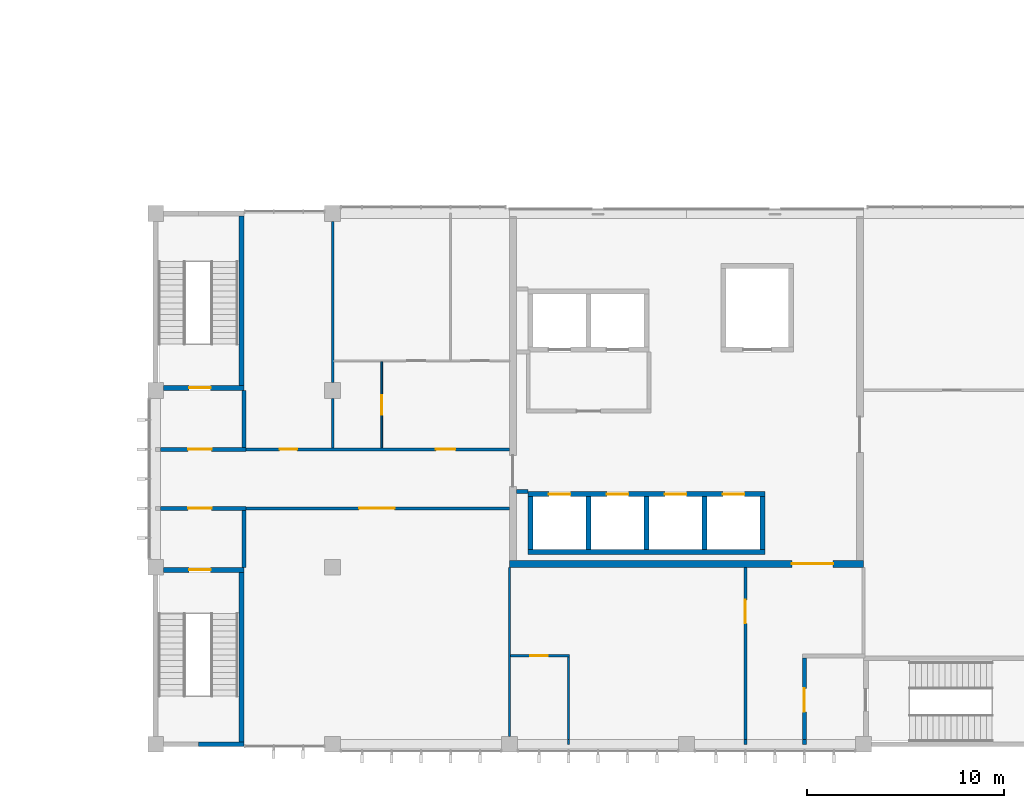
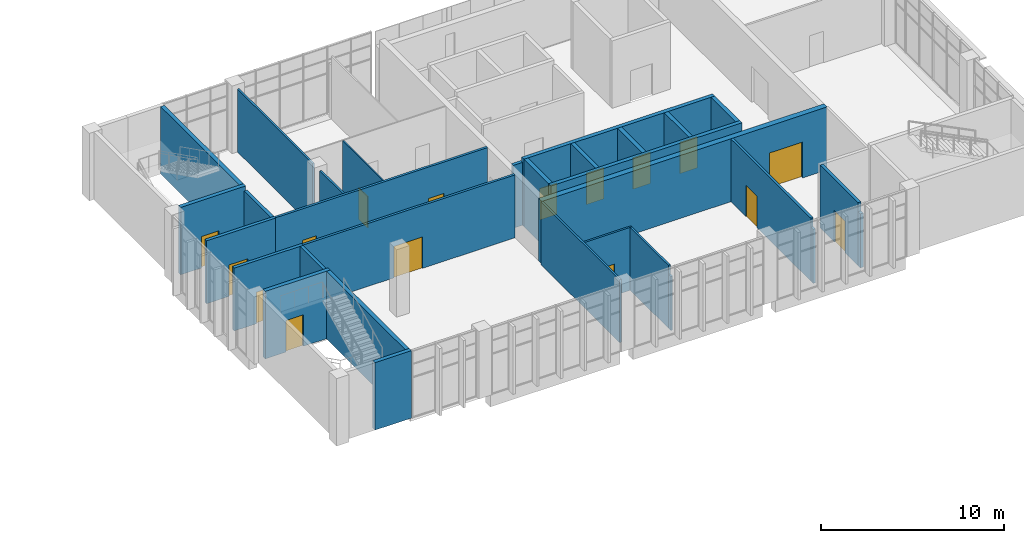
# One storey, part 33 of 43: 31 walls, 16 doors, 16 openings.
"""IFC4 building model written with IfcOpenShell, lengths in metres."""

from ifc_helpers import new_model, si_unit, direction, frame, frame_2d, origin, place, context, subcontext, project, spatial, rectangle, extrude, material, layer, layer_set, type_object, element, fill, save


model = new_model("IFC4")

# Units and contexts
model_context = context("Model", 3, precision=1e-05, world=origin(), true_north=direction((0.0, 1.0)))
body_context = subcontext(model_context, "Body", "Model", "MODEL_VIEW")
ifc_project = project(units=[si_unit("LENGTHUNIT", "METRE"), si_unit("AREAUNIT", "SQUARE_METRE"), si_unit("VOLUMEUNIT", "CUBIC_METRE"), si_unit("PLANEANGLEUNIT", "RADIAN"), si_unit("MASSUNIT", "GRAM", prefix="KILO")], contexts=[model_context])

# Site, building, storey
site_placement = place(None, origin())
site = spatial("IfcSite", under=ifc_project, at=site_placement, CompositionType="ELEMENT")
building_placement = place(site_placement, origin())
building = spatial("IfcBuilding", under=site, at=building_placement, Name="Guidao Yard Department Store", CompositionType="ELEMENT")
storey_placement = place(building_placement, frame((0.0, 0.0, 28.5)))
storey = spatial("IfcBuildingStorey", under=building, at=storey_placement, Name="L06", CompositionType="ELEMENT", Elevation=28.5)

# Wall, opening, door
ifc_material_1 = material(Name="Gypsum Board")
ifc_layer_1 = layer(ifc_material_1, 0.14990234375)
ifc_layer_set_1 = layer_set([ifc_layer_1], Name="Corridor Partition 150 Gypsum Board EI 60")
wall_type_1 = type_object("IfcWallType", Name="Corridor Partition 150 Gypsum Board EI 60", PredefinedType="PARTITIONING", material=ifc_layer_set_1)
wall_1_placement = place(storey_placement, frame((130.39990234375, 12.0, 0.0), z_axis=(0.0, 0.0, 1.0), x_axis=(1.0, 0.0, 0.0)))
wall_1 = element("IfcWall", 1, at=wall_1_placement, inside=storey, type_object=wall_type_1, Name="pt.wall.L06.0005", PredefinedType="PARTITIONING", context=body_context, shape_type="SweptSolid", body=[
    extrude(rectangle(XDim=13.60009765625, YDim=0.14990234375, at=frame_2d((6.800048828125, 0.0))), origin(), (0.0, 0.0, 1.0), 4.199951171875),
])
opening_1_placement = place(wall_1_placement, frame((7.75, 0.0, 0.0), z_axis=(0.0, 0.0, 1.0), x_axis=(-1.0, 0.0, 0.0)))
opening_1 = element("IfcOpeningElement", 2, at=opening_1_placement, cuts=wall_1, Name="Opening L06-412", PredefinedType="OPENING", context=body_context, shape_type="SweptSolid", body=[
    extrude(rectangle(XDim=1.800048828125, YDim=2.10009765625, at=frame_2d((0.89990234375, 1.050048828125))), frame((0.0, 0.0849609375, 0.0), z_axis=(0.0, -1.0, 0.0), x_axis=(1.0, 0.0, 0.0)), (0.0, 0.0, 1.0), 0.169921875),
])
ifc_material_2 = material(Name="Timber door leaf with Steel Q235 frame", Category="steel")
door_type_1 = type_object("IfcDoorType", Name="Door 1800 x 2100 FD30 Double Leaf", OperationType="DOUBLE_DOOR_SINGLE_SWING", PredefinedType="DOOR", material=ifc_material_2)
door_1_placement = place(opening_1_placement, origin())
door_1 = element("IfcDoor", 3, at=door_1_placement, inside=storey, type_object=door_type_1, Name="Door L06-412", OperationType="DOUBLE_DOOR_SINGLE_SWING", OverallHeight=2.10009765625, OverallWidth=1.800048828125, PredefinedType="DOOR", context=body_context, shape_type="SweptSolid", body=[
    extrude(rectangle(XDim=1.800048828125, YDim=2.10009765625, at=frame_2d((0.89990234375, 1.050048828125))), frame((0.0, 0.02490234375, 0.0), z_axis=(0.0, -1.0, 0.0), x_axis=(1.0, 0.0, 0.0)), (0.0, 0.0, 1.0), 0.050048828125),
])
fill(opening_1, door_1)

# Wall, openings, doors
wall_2_placement = place(storey_placement, frame((130.39990234375, 15.0, 0.0), z_axis=(0.0, 0.0, 1.0), x_axis=(1.0, 0.0, 0.0)))
wall_2 = element("IfcWall", 4, at=wall_2_placement, inside=storey, type_object=wall_type_1, Name="pt.wall.L06.0008", PredefinedType="PARTITIONING", context=body_context, shape_type="SweptSolid", body=[
    extrude(rectangle(XDim=13.60009765625, YDim=0.14990234375, at=frame_2d((6.800048828125, 0.0))), origin(), (0.0, 0.0, 1.0), 4.199951171875),
])
opening_2_placement = place(wall_2_placement, frame((9.85009765625, 0.0, 0.0)))
opening_2 = element("IfcOpeningElement", 5, at=opening_2_placement, cuts=wall_2, Name="Opening L06-407", PredefinedType="OPENING", context=body_context, shape_type="SweptSolid", body=[
    extrude(rectangle(XDim=1.0, YDim=2.10009765625, at=frame_2d((0.5, 1.050048828125))), frame((0.0, 0.0849609375, 0.0), z_axis=(0.0, -1.0, 0.0), x_axis=(1.0, 0.0, 0.0)), (0.0, 0.0, 1.0), 0.169921875),
])
opening_3_placement = place(wall_2_placement, frame((1.89990234375, 0.0, 0.0)))
opening_3 = element("IfcOpeningElement", 6, at=opening_3_placement, cuts=wall_2, Name="Opening L06-411", PredefinedType="OPENING", context=body_context, shape_type="SweptSolid", body=[
    extrude(rectangle(XDim=0.89990234375, YDim=2.10009765625, at=frame_2d((0.449951171875, 1.050048828125))), frame((0.0, 0.0849609375, 0.0), z_axis=(0.0, -1.0, 0.0), x_axis=(1.0, 0.0, 0.0)), (0.0, 0.0, 1.0), 0.169921875),
])
ifc_material_3 = material(Name="Timber door leaf with Steel Q235 frame", Category="steel")
door_type_2 = type_object("IfcDoorType", Name="Door 1000 x 2100 FD30 Single Leaf", OperationType="SINGLE_SWING_LEFT", PredefinedType="DOOR", material=ifc_material_3)
door_2_placement = place(opening_2_placement, origin())
door_2 = element("IfcDoor", 7, at=door_2_placement, inside=storey, type_object=door_type_2, Name="Door L06-407", OperationType="SINGLE_SWING_RIGHT", OverallHeight=2.10009765625, OverallWidth=1.0, PredefinedType="DOOR", context=body_context, shape_type="SweptSolid", body=[
    extrude(rectangle(XDim=1.0, YDim=2.10009765625, at=frame_2d((0.5, 1.050048828125))), frame((0.0, 0.02490234375, 0.0), z_axis=(0.0, -1.0, 0.0), x_axis=(1.0, 0.0, 0.0)), (0.0, 0.0, 1.0), 0.050048828125),
])
fill(opening_2, door_2)
ifc_material_4 = material(Name="Timber door leaf with Steel Q235 frame", Category="steel")
door_type_3 = type_object("IfcDoorType", Name="Door 900 x 2100 FD30 Single Leaf", OperationType="SINGLE_SWING_LEFT", PredefinedType="DOOR", material=ifc_material_4)
door_3_placement = place(opening_3_placement, origin())
door_3 = element("IfcDoor", 8, at=door_3_placement, inside=storey, type_object=door_type_3, Name="Door L06-411", OperationType="SINGLE_SWING_LEFT", OverallHeight=2.10009765625, OverallWidth=0.89990234375, PredefinedType="DOOR", context=body_context, shape_type="SweptSolid", body=[
    extrude(rectangle(XDim=0.89990234375, YDim=2.10009765625, at=frame_2d((0.449951171875, 1.050048828125))), frame((0.0, 0.02490234375, 0.0), z_axis=(0.0, -1.0, 0.0), x_axis=(1.0, 0.0, 0.0)), (0.0, 0.0, 1.0), 0.050048828125),
])
fill(opening_3, door_3)

# Wall
wall_3_placement = place(storey_placement, frame((156.0, 0.0, 0.0), z_axis=(0.0, 0.0, 1.0), x_axis=(0.0, 1.0, 0.0)))
element("IfcWall", 9, at=wall_3_placement, inside=storey, type_object=wall_type_1, Name="pt.wall.L06.0025", PredefinedType="PARTITIONING", context=body_context, shape_type="SweptSolid", body=[
    extrude(rectangle(XDim=0.25, YDim=0.14990234375, at=frame_2d((0.125, 0.0))), origin(), (0.0, 0.0, 1.0), 3.60009765625),
])

# Wall, opening, door
wall_4_placement = place(storey_placement, frame((156.0, 0.25, 0.0), z_axis=(0.0, 0.0, 1.0), x_axis=(0.0, 1.0, 0.0)))
wall_4 = element("IfcWall", 10, at=wall_4_placement, inside=storey, type_object=wall_type_1, Name="pt.wall.L06.0025a", PredefinedType="PARTITIONING", context=body_context, shape_type="SweptSolid", body=[
    extrude(rectangle(XDim=8.75, YDim=0.14990234375, at=frame_2d((4.375, 0.0))), origin(), (0.0, 0.0, 1.0), 4.199951171875),
])
opening_4_placement = place(wall_4_placement, frame((5.89990234375, 0.0, 0.0)))
opening_4 = element("IfcOpeningElement", 11, at=opening_4_placement, cuts=wall_4, Name="Opening L06-413", PredefinedType="OPENING", context=body_context, shape_type="SweptSolid", body=[
    extrude(rectangle(XDim=1.199951171875, YDim=2.10009765625, at=frame_2d((0.60009765625, 1.050048828125))), frame((0.0, 0.0849609375, 0.0), z_axis=(0.0, -1.0, 0.0), x_axis=(1.0, 0.0, 0.0)), (0.0, 0.0, 1.0), 0.169921875),
])
ifc_material_5 = material(Name="Timber door leaf with Steel Q235 frame", Category="steel")
door_type_4 = type_object("IfcDoorType", Name="Door 1200 x 2100 FD30 Single Leaf", OperationType="SINGLE_SWING_LEFT", PredefinedType="DOOR", material=ifc_material_5)
door_4_placement = place(opening_4_placement, origin())
door_4 = element("IfcDoor", 12, at=door_4_placement, inside=storey, type_object=door_type_4, Name="Door L06-413", OperationType="SINGLE_SWING_RIGHT", OverallHeight=2.10009765625, OverallWidth=1.199951171875, PredefinedType="DOOR", context=body_context, shape_type="SweptSolid", body=[
    extrude(rectangle(XDim=1.199951171875, YDim=2.10009765625, at=frame_2d((0.60009765625, 1.050048828125))), frame((0.0, 0.02490234375, 0.0), z_axis=(0.0, -1.0, 0.0), x_axis=(1.0, 0.0, 0.0)), (0.0, 0.0, 1.0), 0.050048828125),
])
fill(opening_4, door_4)

ifc_material_6 = material(Name="Gypsum Board")
ifc_layer_2 = layer(ifc_material_6, 0.1201171875)
ifc_layer_set_2 = layer_set([ifc_layer_2], Name="Partition 120 Gypsum Board EI 45")
wall_type_2 = type_object("IfcWallType", Name="Partition 120 Gypsum Board EI 45", PredefinedType="PARTITIONING", material=ifc_layer_set_2)
wall_5_placement = place(storey_placement, frame((144.06005859375, 4.5, 0.0), z_axis=(0.0, 0.0, 1.0), x_axis=(1.0, 0.0, 0.0)))
wall_5 = element("IfcWall", 13, at=wall_5_placement, inside=storey, type_object=wall_type_2, Name="pt.wall.L06.0001", PredefinedType="PARTITIONING", context=body_context, shape_type="SweptSolid", body=[
    extrude(rectangle(XDim=3.0, YDim=0.1201171875, at=frame_2d((1.5, 0.0))), origin(), (0.0, 0.0, 1.0), 4.199951171875),
])
opening_5_placement = place(wall_5_placement, frame((1.889892578125, 0.0, 0.0), z_axis=(0.0, 0.0, 1.0), x_axis=(-1.0, 0.0, 0.0)))
opening_5 = element("IfcOpeningElement", 14, at=opening_5_placement, cuts=wall_5, Name="Opening L06-414", PredefinedType="OPENING", context=body_context, shape_type="SweptSolid", body=[
    extrude(rectangle(XDim=0.89990234375, YDim=2.10009765625, at=frame_2d((0.449951171875, 1.050048828125))), frame((0.0, 0.070068359375, 0.0), z_axis=(0.0, -1.0, 0.0), x_axis=(1.0, 0.0, 0.0)), (0.0, 0.0, 1.0), 0.14013671875),
])
ifc_material_7 = material(Name="Timber door leaf with Steel Q235 frame", Category="steel")
door_type_5 = type_object("IfcDoorType", Name="Door 900 x 2100 NOT RATED Single Leaf", OperationType="SINGLE_SWING_LEFT", PredefinedType="DOOR", material=ifc_material_7)
door_5_placement = place(opening_5_placement, origin())
door_5 = element("IfcDoor", 15, at=door_5_placement, inside=storey, type_object=door_type_5, Name="Door L06-414", OperationType="SINGLE_SWING_RIGHT", OverallHeight=2.10009765625, OverallWidth=0.89990234375, PredefinedType="DOOR", context=body_context, shape_type="SweptSolid", body=[
    extrude(rectangle(XDim=0.89990234375, YDim=2.10009765625, at=frame_2d((0.449951171875, 1.050048828125))), frame((0.0, 0.02490234375, 0.0), z_axis=(0.0, -1.0, 0.0), x_axis=(1.0, 0.0, 0.0)), (0.0, 0.0, 1.0), 0.050048828125),
])
fill(opening_5, door_5)

# Walls
wall_6_placement = place(storey_placement, frame((135.0, 15.074951171875, 0.0), z_axis=(0.0, 0.0, 1.0), x_axis=(0.0, 1.0, 0.0)))
element("IfcWall", 16, at=wall_6_placement, inside=storey, type_object=wall_type_2, Name="pt.wall.L06.0016", PredefinedType="PARTITIONING", context=body_context, shape_type="SweptSolid", body=[
    extrude(rectangle(XDim=2.525146484375, YDim=0.1201171875, at=frame_2d((1.2626953125, 0.0))), origin(), (0.0, 0.0, 1.0), 4.199951171875),
])
wall_7_placement = place(storey_placement, frame((135.0, 18.39990234375, 0.0), z_axis=(0.0, 0.0, 1.0), x_axis=(0.0, 1.0, 0.0)))
element("IfcWall", 17, at=wall_7_placement, inside=storey, type_object=wall_type_2, Name="pt.wall.L06.0017", PredefinedType="PARTITIONING", context=body_context, shape_type="SweptSolid", body=[
    extrude(rectangle(XDim=8.2001953125, YDim=0.1201171875, at=frame_2d((4.10009765625, 0.0))), origin(), (0.0, 0.0, 1.0), 4.199951171875),
])
wall_8_placement = place(storey_placement, frame((144.0, 0.39990234375, 0.0), z_axis=(0.0, 0.0, 1.0), x_axis=(0.0, 1.0, 0.0)))
element("IfcWall", 18, at=wall_8_placement, inside=storey, type_object=wall_type_2, Name="pt.wall.L06.0020", PredefinedType="PARTITIONING", context=body_context, shape_type="SweptSolid", body=[
    extrude(rectangle(XDim=8.60009765625, YDim=0.1201171875, at=frame_2d((4.300048828125, 0.0))), origin(), (0.0, 0.0, 1.0), 4.199951171875),
])
wall_9_placement = place(storey_placement, frame((147.0, 0.0, 0.0), z_axis=(0.0, 0.0, 1.0), x_axis=(0.0, 1.0, 0.0)))
element("IfcWall", 19, at=wall_9_placement, inside=storey, type_object=wall_type_2, Name="pt.wall.L06.0023", PredefinedType="PARTITIONING", context=body_context, shape_type="SweptSolid", body=[
    extrude(rectangle(XDim=0.25, YDim=0.1201171875, at=frame_2d((0.125, 0.0))), origin(), (0.0, 0.0, 1.0), 3.60009765625),
])
wall_10_placement = place(storey_placement, frame((147.0, 0.25, 0.0), z_axis=(0.0, 0.0, 1.0), x_axis=(0.0, 1.0, 0.0)))
element("IfcWall", 20, at=wall_10_placement, inside=storey, type_object=wall_type_2, Name="pt.wall.L06.0023a", PredefinedType="PARTITIONING", context=body_context, shape_type="SweptSolid", body=[
    extrude(rectangle(XDim=4.18994140625, YDim=0.1201171875, at=frame_2d((2.094970703125, 0.0))), origin(), (0.0, 0.0, 1.0), 4.199951171875),
])

# Wall, opening, door
ifc_material_8 = material(Name="Gypsum Board")
ifc_layer_3 = layer(ifc_material_8, 0.080078125)
ifc_layer_set_3 = layer_set([ifc_layer_3], Name="Sanitary Partition 80 Gypsum Board EI 45")
wall_type_3 = type_object("IfcWallType", Name="Sanitary Partition 80 Gypsum Board EI 45", PredefinedType="PARTITIONING", material=ifc_layer_set_3)
wall_11_placement = place(storey_placement, frame((137.5, 15.074951171875, 0.0), z_axis=(0.0, 0.0, 1.0), x_axis=(0.0, 1.0, 0.0)))
wall_11 = element("IfcWall", 21, at=wall_11_placement, inside=storey, type_object=wall_type_3, Name="pt.wall.L06.0018", PredefinedType="PARTITIONING", context=body_context, shape_type="SweptSolid", body=[
    extrude(rectangle(XDim=4.385009765625, YDim=0.080078125, at=frame_2d((2.1923828125, 0.0))), origin(), (0.0, 0.0, 1.0), 4.199951171875),
])
opening_6_placement = place(wall_11_placement, frame((1.675048828125, 0.0, 0.0)))
opening_6 = element("IfcOpeningElement", 22, at=opening_6_placement, cuts=wall_11, Name="Opening L06-408", PredefinedType="OPENING", context=body_context, shape_type="SweptSolid", body=[
    extrude(rectangle(XDim=1.0, YDim=2.10009765625, at=frame_2d((0.5, 1.050048828125))), frame((0.0, 0.050048828125, 0.0), z_axis=(0.0, -1.0, 0.0), x_axis=(1.0, 0.0, 0.0)), (0.0, 0.0, 1.0), 0.10009765625),
])
ifc_material_9 = material(Name="Timber door leaf with Steel Q235 frame", Category="steel")
door_type_6 = type_object("IfcDoorType", Name="Door 1000 x 2100 NOT RATED Single Leaf", OperationType="SINGLE_SWING_LEFT", PredefinedType="DOOR", material=ifc_material_9)
door_6_placement = place(opening_6_placement, origin())
door_6 = element("IfcDoor", 23, at=door_6_placement, inside=storey, type_object=door_type_6, Name="Door L06-408", OperationType="SINGLE_SWING_RIGHT", OverallHeight=2.10009765625, OverallWidth=1.0, PredefinedType="DOOR", context=body_context, shape_type="SweptSolid", body=[
    extrude(rectangle(XDim=1.0, YDim=2.10009765625, at=frame_2d((0.5, 1.050048828125))), frame((0.0, 0.02490234375, 0.0), z_axis=(0.0, -1.0, 0.0), x_axis=(1.0, 0.0, 0.0)), (0.0, 0.0, 1.0), 0.050048828125),
])
fill(opening_6, door_6)

ifc_material_10 = material(Name="Autoclaved aerated concrete block A3.5 B06", Category="concrete")
ifc_layer_4 = layer(ifc_material_10, 0.199951171875)
ifc_layer_set_4 = layer_set([ifc_layer_4], Name="Shaft Wall 200 Autoclaved Block EI 120")
wall_type_4 = type_object("IfcWallType", Name="Shaft Wall 200 Autoclaved Block EI 120", PredefinedType="PARTITIONING", material=ifc_layer_set_4)
wall_12_placement = place(storey_placement, frame((126.25, 12.0, 0.0), z_axis=(0.0, 0.0, 1.0), x_axis=(1.0, 0.0, 0.0)))
wall_12 = element("IfcWall", 24, at=wall_12_placement, inside=storey, type_object=wall_type_4, Name="pt.wall.L06.0004a", PredefinedType="PARTITIONING", context=body_context, shape_type="SweptSolid", body=[
    extrude(rectangle(XDim=4.35009765625, YDim=0.199951171875, at=frame_2d((2.175048828125, 0.0))), origin(), (0.0, 0.0, 1.0), 4.199951171875),
])
opening_7_placement = place(wall_12_placement, frame((2.599853515625, 0.0, 0.0), z_axis=(0.0, 0.0, 1.0), x_axis=(-1.0, 0.0, 0.0)))
opening_7 = element("IfcOpeningElement", 25, at=opening_7_placement, cuts=wall_12, Name="Opening L06-401", PredefinedType="OPENING", context=body_context, shape_type="SweptSolid", body=[
    extrude(rectangle(XDim=1.199951171875, YDim=2.10009765625, at=frame_2d((0.60009765625, 1.050048828125))), frame((0.0, 0.10986328125, 0.0), z_axis=(0.0, -1.0, 0.0), x_axis=(1.0, 0.0, 0.0)), (0.0, 0.0, 1.0), 0.219970703125),
])
ifc_material_11 = material(Name="Timber door leaf with Steel Q235 frame", Category="steel")
door_type_7 = type_object("IfcDoorType", Name="Door 1200 x 2100 FD60 Single Leaf", OperationType="SINGLE_SWING_LEFT", PredefinedType="DOOR", material=ifc_material_11)
door_7_placement = place(opening_7_placement, origin())
door_7 = element("IfcDoor", 26, at=door_7_placement, inside=storey, type_object=door_type_7, Name="Door L06-401", OperationType="SINGLE_SWING_RIGHT", OverallHeight=2.10009765625, OverallWidth=1.199951171875, PredefinedType="DOOR", context=body_context, shape_type="SweptSolid", body=[
    extrude(rectangle(XDim=1.199951171875, YDim=2.10009765625, at=frame_2d((0.60009765625, 1.050048828125))), frame((0.0, 0.02490234375, 0.0), z_axis=(0.0, -1.0, 0.0), x_axis=(1.0, 0.0, 0.0)), (0.0, 0.0, 1.0), 0.050048828125),
])
fill(opening_7, door_7)

# Wall
wall_13_placement = place(storey_placement, frame((144.35009765625, 12.85009765625, 0.0), z_axis=(0.0, 0.0, 1.0), x_axis=(1.0, 0.0, 0.0)))
element("IfcWall", 27, at=wall_13_placement, inside=storey, type_object=wall_type_4, Name="pt.wall.L06.0006", PredefinedType="PARTITIONING", context=body_context, shape_type="SweptSolid", body=[
    extrude(rectangle(XDim=0.599853515625, YDim=0.199951171875, at=frame_2d((0.2998046875, 0.0))), origin(), (0.0, 0.0, 1.0), 4.199951171875),
])

# Wall, opening, door
wall_14_placement = place(storey_placement, frame((126.25, 15.0, 0.0), z_axis=(0.0, 0.0, 1.0), x_axis=(1.0, 0.0, 0.0)))
wall_14 = element("IfcWall", 28, at=wall_14_placement, inside=storey, type_object=wall_type_4, Name="pt.wall.L06.0007a", PredefinedType="PARTITIONING", context=body_context, shape_type="SweptSolid", body=[
    extrude(rectangle(XDim=4.35009765625, YDim=0.199951171875, at=frame_2d((2.175048828125, 0.0))), origin(), (0.0, 0.0, 1.0), 4.199951171875),
])
opening_8_placement = place(wall_14_placement, frame((1.39990234375, 0.0, 0.0)))
opening_8 = element("IfcOpeningElement", 29, at=opening_8_placement, cuts=wall_14, Name="Opening L06-403", PredefinedType="OPENING", context=body_context, shape_type="SweptSolid", body=[
    extrude(rectangle(XDim=1.199951171875, YDim=2.10009765625, at=frame_2d((0.60009765625, 1.050048828125))), frame((0.0, 0.10986328125, 0.0), z_axis=(0.0, -1.0, 0.0), x_axis=(1.0, 0.0, 0.0)), (0.0, 0.0, 1.0), 0.219970703125),
])
door_8_placement = place(opening_8_placement, origin())
door_8 = element("IfcDoor", 30, at=door_8_placement, inside=storey, type_object=door_type_7, Name="Door L06-403", OperationType="SINGLE_SWING_LEFT", OverallHeight=2.10009765625, OverallWidth=1.199951171875, PredefinedType="DOOR", context=body_context, shape_type="SweptSolid", body=[
    extrude(rectangle(XDim=1.199951171875, YDim=2.10009765625, at=frame_2d((0.60009765625, 1.050048828125))), frame((0.0, 0.02490234375, 0.0), z_axis=(0.0, -1.0, 0.0), x_axis=(1.0, 0.0, 0.0)), (0.0, 0.0, 1.0), 0.050048828125),
])
fill(opening_8, door_8)

# Walls
for number, where, z_axis, x_axis, name in (
    (31, (130.5, 9.0, 0.0), (0.0, 0.0, 1.0), (0.0, 1.0, 0.0), "pt.wall.L06.0014"),
    (32, (130.5, 15.10009765625, 0.0), (0.0, 0.0, 1.0), (0.0, 1.0, 0.0), "pt.wall.L06.0015"),
):
    element("IfcWall", number, at=place(storey_placement, frame(where, z_axis=z_axis, x_axis=x_axis)), inside=storey, type_object=wall_type_4, Name=name, PredefinedType="PARTITIONING", context=body_context, shape_type="SweptSolid", body=[
        extrude(rectangle(XDim=2.89990234375, YDim=0.199951171875, at=frame_2d((1.449951171875, 0.0))), origin(), (0.0, 0.0, 1.0), 4.199951171875),
    ])
wall_15_placement = place(storey_placement, frame((159.0, 0.0, 0.0), z_axis=(0.0, 0.0, 1.0), x_axis=(0.0, 1.0, 0.0)))
element("IfcWall", 33, at=wall_15_placement, inside=storey, type_object=wall_type_4, Name="pt.wall.L06.0026", PredefinedType="PARTITIONING", context=body_context, shape_type="SweptSolid", body=[
    extrude(rectangle(XDim=0.25, YDim=0.199951171875, at=frame_2d((0.125, 0.0))), origin(), (0.0, 0.0, 1.0), 3.60009765625),
])

# Wall, opening, door
wall_16_placement = place(storey_placement, frame((159.0, 0.25, 0.0), z_axis=(0.0, 0.0, 1.0), x_axis=(0.0, 1.0, 0.0)))
wall_16 = element("IfcWall", 34, at=wall_16_placement, inside=storey, type_object=wall_type_4, Name="pt.wall.L06.0026a", PredefinedType="PARTITIONING", context=body_context, shape_type="SweptSolid", body=[
    extrude(rectangle(XDim=4.14990234375, YDim=0.199951171875, at=frame_2d((2.074951171875, 0.0))), origin(), (0.0, 0.0, 1.0), 4.199951171875),
])
opening_9_placement = place(wall_16_placement, frame((2.599853515625, 0.0, 0.0), z_axis=(0.0, 0.0, 1.0), x_axis=(-1.0, 0.0, 0.0)))
opening_9 = element("IfcOpeningElement", 35, at=opening_9_placement, cuts=wall_16, Name="Opening L06-402", PredefinedType="OPENING", context=body_context, shape_type="SweptSolid", body=[
    extrude(rectangle(XDim=1.199951171875, YDim=2.10009765625, at=frame_2d((0.60009765625, 1.050048828125))), frame((0.0, 0.10986328125, 0.0), z_axis=(0.0, -1.0, 0.0), x_axis=(1.0, 0.0, 0.0)), (0.0, 0.0, 1.0), 0.219970703125),
])
door_9_placement = place(opening_9_placement, origin())
door_9 = element("IfcDoor", 36, at=door_9_placement, inside=storey, type_object=door_type_7, Name="Door L06-402", OperationType="SINGLE_SWING_RIGHT", OverallHeight=2.10009765625, OverallWidth=1.199951171875, PredefinedType="DOOR", context=body_context, shape_type="SweptSolid", body=[
    extrude(rectangle(XDim=1.199951171875, YDim=2.10009765625, at=frame_2d((0.60009765625, 1.050048828125))), frame((0.0, 0.02490234375, 0.0), z_axis=(0.0, -1.0, 0.0), x_axis=(1.0, 0.0, 0.0)), (0.0, 0.0, 1.0), 0.050048828125),
])
fill(opening_9, door_9)

ifc_material_12 = material(Name="Concrete C50", Category="concrete")
ifc_layer_5 = layer(ifc_material_12, 0.35009765625)
ifc_layer_set_5 = layer_set([ifc_layer_5], Name="Shear Wall 350 Concrete C50")
wall_type_5 = type_object("IfcWallType", Name="Shear Wall 350 Concrete C50", PredefinedType="SHEAR", material=ifc_layer_set_5)
wall_17_placement = place(storey_placement, frame((144.0, 9.175048828125, 0.0), z_axis=(0.0, 0.0, 1.0), x_axis=(1.0, 0.0, 0.0)))
wall_17 = element("IfcWall", 37, at=wall_17_placement, inside=storey, type_object=wall_type_5, Name="pt.wall.L06.0003", PredefinedType="SHEAR", context=body_context, shape_type="SweptSolid", body=[
    extrude(rectangle(XDim=18.0, YDim=0.35009765625, at=frame_2d((9.0, 0.0))), origin(), (0.0, 0.0, 1.0), 4.199951171875),
])
opening_10_placement = place(wall_17_placement, frame((16.462646484375, 0.0, 0.0), z_axis=(0.0, 0.0, 1.0), x_axis=(-1.0, 0.0, 0.0)))
opening_10 = element("IfcOpeningElement", 38, at=opening_10_placement, cuts=wall_17, Name="Opening L06-406", PredefinedType="OPENING", context=body_context, shape_type="SweptSolid", body=[
    extrude(rectangle(XDim=2.10009765625, YDim=2.39990234375, at=frame_2d((1.050048828125, 1.199951171875))), frame((0.0, 0.18505859375, 0.0), z_axis=(0.0, -1.0, 0.0), x_axis=(1.0, 0.0, 0.0)), (0.0, 0.0, 1.0), 0.3701171875),
])
ifc_material_13 = material(Name="Timber door leaf with Steel Q235 frame", Category="steel")
door_type_8 = type_object("IfcDoorType", Name="Door 2100 x 2400 FD60 Double Leaf", OperationType="DOUBLE_DOOR_SINGLE_SWING", PredefinedType="DOOR", material=ifc_material_13)
door_10_placement = place(opening_10_placement, origin())
door_10 = element("IfcDoor", 39, at=door_10_placement, inside=storey, type_object=door_type_8, Name="Door L06-406", OperationType="DOUBLE_DOOR_SINGLE_SWING", OverallHeight=2.39990234375, OverallWidth=2.10009765625, PredefinedType="DOOR", context=body_context, shape_type="SweptSolid", body=[
    extrude(rectangle(XDim=2.10009765625, YDim=2.39990234375, at=frame_2d((1.050048828125, 1.199951171875))), frame((0.0, 0.02490234375, 0.0), z_axis=(0.0, -1.0, 0.0), x_axis=(1.0, 0.0, 0.0)), (0.0, 0.0, 1.0), 0.050048828125),
])
fill(opening_10, door_10)

# Wall
ifc_material_14 = material(Name="Concrete C40", Category="concrete")
ifc_layer_6 = layer(ifc_material_14, 0.25)
ifc_layer_set_6 = layer_set([ifc_layer_6], Name="Wall RC 250 C40 stair and shaft")
wall_type_6 = type_object("IfcWallType", Name="Wall RC 250 C40 stair and shaft", PredefinedType="SHEAR", material=ifc_layer_set_6)
wall_18_placement = place(storey_placement, frame((128.18798828125, 0.0, 0.0), z_axis=(0.0, 0.0, 1.0), x_axis=(1.0, 0.0, 0.0)))
element("IfcWall", 40, at=wall_18_placement, inside=storey, type_object=wall_type_6, Name="Stair wall SO1", PredefinedType="SHEAR", context=body_context, shape_type="SweptSolid", body=[
    extrude(rectangle(XDim=2.31201171875, YDim=0.25, at=frame_2d((1.156005859375, 0.0))), origin(), (0.0, 0.0, 1.0), 4.5),
])

# Wall, opening, door
wall_19_placement = place(storey_placement, frame((126.39990234375, 8.875, 0.0), z_axis=(0.0, 0.0, 1.0), x_axis=(1.0, 0.0, 0.0)))
wall_19 = element("IfcWall", 41, at=wall_19_placement, inside=storey, type_object=wall_type_6, Name="Stair wall SO1", PredefinedType="SHEAR", context=body_context, shape_type="SweptSolid", body=[
    extrude(rectangle(XDim=4.10009765625, YDim=0.25, at=frame_2d((2.050048828125, 0.0))), origin(), (0.0, 0.0, 1.0), 4.5),
])
opening_11_placement = place(wall_19_placement, frame((2.400146484375, 0.0, 0.0), z_axis=(0.0, 0.0, 1.0), x_axis=(-1.0, 0.0, 0.0)))
opening_11 = element("IfcOpeningElement", 42, at=opening_11_placement, cuts=wall_19, Name="Opening L06-802", PredefinedType="OPENING", context=body_context, shape_type="SweptSolid", body=[
    extrude(rectangle(XDim=1.10009765625, YDim=2.10009765625, at=frame_2d((0.550048828125, 1.050048828125))), frame((0.0, 0.135009765625, 0.0), z_axis=(0.0, -1.0, 0.0), x_axis=(1.0, 0.0, 0.0)), (0.0, 0.0, 1.0), 0.27001953125),
])
ifc_material_15 = material(Name="Steel Q235", Category="steel")
door_type_9 = type_object("IfcDoorType", Name="Door fire-resisting 1100 x 2100 FD60", OperationType="SINGLE_SWING_LEFT", PredefinedType="DOOR", material=ifc_material_15)
door_11_placement = place(opening_11_placement, origin())
door_11 = element("IfcDoor", 43, at=door_11_placement, inside=storey, type_object=door_type_9, Name="Stair O1 door L06", OperationType="SINGLE_SWING_RIGHT", OverallHeight=2.10009765625, OverallWidth=1.10009765625, PredefinedType="DOOR", context=body_context, shape_type="SweptSolid", body=[
    extrude(rectangle(XDim=1.10009765625, YDim=2.10009765625, at=frame_2d((0.550048828125, 1.050048828125))), frame((0.0, 0.02490234375, 0.0), z_axis=(0.0, -1.0, 0.0), x_axis=(1.0, 0.0, 0.0)), (0.0, 0.0, 1.0), 0.050048828125),
])
fill(opening_11, door_11)

# Wall
wall_20_placement = place(storey_placement, frame((130.375, 0.125, 0.0), z_axis=(0.0, 0.0, 1.0), x_axis=(0.0, 1.0, 0.0)))
element("IfcWall", 44, at=wall_20_placement, inside=storey, type_object=wall_type_6, Name="Stair wall SO1", PredefinedType="SHEAR", context=body_context, shape_type="SweptSolid", body=[
    extrude(rectangle(XDim=8.625, YDim=0.25, at=frame_2d((4.3125, 0.0))), origin(), (0.0, 0.0, 1.0), 4.5),
])

# Wall, opening, door
wall_21_placement = place(storey_placement, frame((126.39990234375, 18.125, 0.0), z_axis=(0.0, 0.0, 1.0), x_axis=(1.0, 0.0, 0.0)))
wall_21 = element("IfcWall", 45, at=wall_21_placement, inside=storey, type_object=wall_type_6, Name="Stair wall SO3", PredefinedType="SHEAR", context=body_context, shape_type="SweptSolid", body=[
    extrude(rectangle(XDim=4.10009765625, YDim=0.25, at=frame_2d((2.050048828125, 0.0))), origin(), (0.0, 0.0, 1.0), 4.5),
])
opening_12_placement = place(wall_21_placement, frame((1.300048828125, 0.0, 0.0)))
opening_12 = element("IfcOpeningElement", 46, at=opening_12_placement, cuts=wall_21, Name="Opening L06-804", PredefinedType="OPENING", context=body_context, shape_type="SweptSolid", body=[
    extrude(rectangle(XDim=1.10009765625, YDim=2.10009765625, at=frame_2d((0.550048828125, 1.050048828125))), frame((0.0, 0.135009765625, 0.0), z_axis=(0.0, -1.0, 0.0), x_axis=(1.0, 0.0, 0.0)), (0.0, 0.0, 1.0), 0.27001953125),
])
door_12_placement = place(opening_12_placement, origin())
door_12 = element("IfcDoor", 47, at=door_12_placement, inside=storey, type_object=door_type_9, Name="Stair O3 door L06", OperationType="SINGLE_SWING_LEFT", OverallHeight=2.10009765625, OverallWidth=1.10009765625, PredefinedType="DOOR", context=body_context, shape_type="SweptSolid", body=[
    extrude(rectangle(XDim=1.10009765625, YDim=2.10009765625, at=frame_2d((0.550048828125, 1.050048828125))), frame((0.0, 0.02490234375, 0.0), z_axis=(0.0, -1.0, 0.0), x_axis=(1.0, 0.0, 0.0)), (0.0, 0.0, 1.0), 0.050048828125),
])
fill(opening_12, door_12)

# Wall
wall_22_placement = place(storey_placement, frame((130.375, 18.25, 0.0), z_axis=(0.0, 0.0, 1.0), x_axis=(0.0, 1.0, 0.0)))
element("IfcWall", 48, at=wall_22_placement, inside=storey, type_object=wall_type_6, Name="Stair wall SO3", PredefinedType="SHEAR", context=body_context, shape_type="SweptSolid", body=[
    extrude(rectangle(XDim=8.625, YDim=0.25, at=frame_2d((4.3125, 0.0))), origin(), (0.0, 0.0, 1.0), 4.5),
])

# Wall, openings, doors
wall_23_placement = place(storey_placement, frame((144.949951171875, 12.72509765625, 0.0), z_axis=(0.0, 0.0, 1.0), x_axis=(1.0, 0.0, 0.0)))
wall_23 = element("IfcWall", 49, at=wall_23_placement, inside=storey, type_object=wall_type_6, Name="Lift shaft wall OL1 to OL4", PredefinedType="SHEAR", context=body_context, shape_type="SweptSolid", body=[
    extrude(rectangle(XDim=12.050048828125, YDim=0.25, at=frame_2d((6.02490234375, 0.0))), origin(), (0.0, 0.0, 1.0), 4.5),
])
opening_13_placement = place(wall_23_placement, frame((1.050048828125, 0.0, 0.0)))
opening_13 = element("IfcOpeningElement", 50, at=opening_13_placement, cuts=wall_23, Name="Opening LD-OL1-L06", PredefinedType="OPENING", context=body_context, shape_type="SweptSolid", body=[
    extrude(rectangle(XDim=1.10009765625, YDim=2.10009765625, at=frame_2d((0.550048828125, 1.050048828125))), frame((0.0, 0.135009765625, 0.0), z_axis=(0.0, -1.0, 0.0), x_axis=(1.0, 0.0, 0.0)), (0.0, 0.0, 1.0), 0.27001953125),
])
opening_14_placement = place(wall_23_placement, frame((4.0, 0.0, 0.0)))
opening_14 = element("IfcOpeningElement", 51, at=opening_14_placement, cuts=wall_23, Name="Opening LD-OL2-L06", PredefinedType="OPENING", context=body_context, shape_type="SweptSolid", body=[
    extrude(rectangle(XDim=1.10009765625, YDim=2.10009765625, at=frame_2d((0.550048828125, 1.050048828125))), frame((0.0, 0.135009765625, 0.0), z_axis=(0.0, -1.0, 0.0), x_axis=(1.0, 0.0, 0.0)), (0.0, 0.0, 1.0), 0.27001953125),
])
opening_15_placement = place(wall_23_placement, frame((6.949951171875, 0.0, 0.0)))
opening_15 = element("IfcOpeningElement", 52, at=opening_15_placement, cuts=wall_23, Name="Opening LD-OL3-L06", PredefinedType="OPENING", context=body_context, shape_type="SweptSolid", body=[
    extrude(rectangle(XDim=1.10009765625, YDim=2.10009765625, at=frame_2d((0.550048828125, 1.050048828125))), frame((0.0, 0.135009765625, 0.0), z_axis=(0.0, -1.0, 0.0), x_axis=(1.0, 0.0, 0.0)), (0.0, 0.0, 1.0), 0.27001953125),
])
opening_16_placement = place(wall_23_placement, frame((9.89990234375, 0.0, 0.0)))
opening_16 = element("IfcOpeningElement", 53, at=opening_16_placement, cuts=wall_23, Name="Opening LD-OL4-L06", PredefinedType="OPENING", context=body_context, shape_type="SweptSolid", body=[
    extrude(rectangle(XDim=1.10009765625, YDim=2.10009765625, at=frame_2d((0.550048828125, 1.050048828125))), frame((0.0, 0.135009765625, 0.0), z_axis=(0.0, -1.0, 0.0), x_axis=(1.0, 0.0, 0.0)), (0.0, 0.0, 1.0), 0.27001953125),
])
ifc_material_16 = material(Name="Stainless steel 06Cr19Ni10", Category="steel")
door_type_10 = type_object("IfcDoorType", Name="Lift landing door fire-resisting sliding 1100 x 2100", OperationType="DOUBLE_DOOR_SLIDING", PredefinedType="DOOR", material=ifc_material_16)
door_13_placement = place(opening_13_placement, origin())
door_13 = element("IfcDoor", 54, at=door_13_placement, inside=storey, type_object=door_type_10, Name="Lift landing door OL1 L06", OperationType="DOUBLE_DOOR_SLIDING", OverallHeight=2.10009765625, OverallWidth=1.10009765625, PredefinedType="DOOR", context=body_context, shape_type="SweptSolid", body=[
    extrude(rectangle(XDim=1.10009765625, YDim=2.10009765625, at=frame_2d((0.550048828125, 1.050048828125))), frame((0.0, 0.02490234375, 0.0), z_axis=(0.0, -1.0, 0.0), x_axis=(1.0, 0.0, 0.0)), (0.0, 0.0, 1.0), 0.050048828125),
])
fill(opening_13, door_13)
door_14_placement = place(opening_14_placement, origin())
door_14 = element("IfcDoor", 55, at=door_14_placement, inside=storey, type_object=door_type_10, Name="Lift landing door OL2 L06", OperationType="DOUBLE_DOOR_SLIDING", OverallHeight=2.10009765625, OverallWidth=1.10009765625, PredefinedType="DOOR", context=body_context, shape_type="SweptSolid", body=[
    extrude(rectangle(XDim=1.10009765625, YDim=2.10009765625, at=frame_2d((0.550048828125, 1.050048828125))), frame((0.0, 0.02490234375, 0.0), z_axis=(0.0, -1.0, 0.0), x_axis=(1.0, 0.0, 0.0)), (0.0, 0.0, 1.0), 0.050048828125),
])
fill(opening_14, door_14)
door_15_placement = place(opening_15_placement, origin())
door_15 = element("IfcDoor", 56, at=door_15_placement, inside=storey, type_object=door_type_10, Name="Lift landing door OL3 L06", OperationType="DOUBLE_DOOR_SLIDING", OverallHeight=2.10009765625, OverallWidth=1.10009765625, PredefinedType="DOOR", context=body_context, shape_type="SweptSolid", body=[
    extrude(rectangle(XDim=1.10009765625, YDim=2.10009765625, at=frame_2d((0.550048828125, 1.050048828125))), frame((0.0, 0.02490234375, 0.0), z_axis=(0.0, -1.0, 0.0), x_axis=(1.0, 0.0, 0.0)), (0.0, 0.0, 1.0), 0.050048828125),
])
fill(opening_15, door_15)
door_16_placement = place(opening_16_placement, origin())
door_16 = element("IfcDoor", 57, at=door_16_placement, inside=storey, type_object=door_type_10, Name="Lift landing door OL4 L06", OperationType="DOUBLE_DOOR_SLIDING", OverallHeight=2.10009765625, OverallWidth=1.10009765625, PredefinedType="DOOR", context=body_context, shape_type="SweptSolid", body=[
    extrude(rectangle(XDim=1.10009765625, YDim=2.10009765625, at=frame_2d((0.550048828125, 1.050048828125))), frame((0.0, 0.02490234375, 0.0), z_axis=(0.0, -1.0, 0.0), x_axis=(1.0, 0.0, 0.0)), (0.0, 0.0, 1.0), 0.050048828125),
])
fill(opening_16, door_16)

# Walls
wall_24_placement = place(storey_placement, frame((144.949951171875, 9.77490234375, 0.0), z_axis=(0.0, 0.0, 1.0), x_axis=(1.0, 0.0, 0.0)))
element("IfcWall", 58, at=wall_24_placement, inside=storey, type_object=wall_type_6, Name="Lift shaft wall OL1 to OL4", PredefinedType="SHEAR", context=body_context, shape_type="SweptSolid", body=[
    extrude(rectangle(XDim=12.050048828125, YDim=0.25, at=frame_2d((6.02490234375, 0.0))), origin(), (0.0, 0.0, 1.0), 4.5),
])
for number, where, z_axis, x_axis, name in (
    (59, (145.074951171875, 9.89990234375, 0.0), (0.0, 0.0, 1.0), (0.0, 1.0, 0.0), "Lift shaft wall OL1 to OL4"),
    (60, (148.02490234375, 9.89990234375, 0.0), (0.0, 0.0, 1.0), (0.0, 1.0, 0.0), "Lift shaft wall OL1 to OL4"),
    (61, (150.97509765625, 9.89990234375, 0.0), (0.0, 0.0, 1.0), (0.0, 1.0, 0.0), "Lift shaft wall OL1 to OL4"),
    (62, (153.925048828125, 9.89990234375, 0.0), (0.0, 0.0, 1.0), (0.0, 1.0, 0.0), "Lift shaft wall OL1 to OL4"),
    (63, (156.875, 9.89990234375, 0.0), (0.0, 0.0, 1.0), (0.0, 1.0, 0.0), "Lift shaft wall OL1 to OL4"),
):
    element("IfcWall", number, at=place(storey_placement, frame(where, z_axis=z_axis, x_axis=x_axis)), inside=storey, type_object=wall_type_6, Name=name, PredefinedType="SHEAR", context=body_context, shape_type="SweptSolid", body=[
        extrude(rectangle(XDim=2.7001953125, YDim=0.25, at=frame_2d((1.35009765625, 0.0))), origin(), (0.0, 0.0, 1.0), 4.5),
    ])

save(model, "model.ifc")
